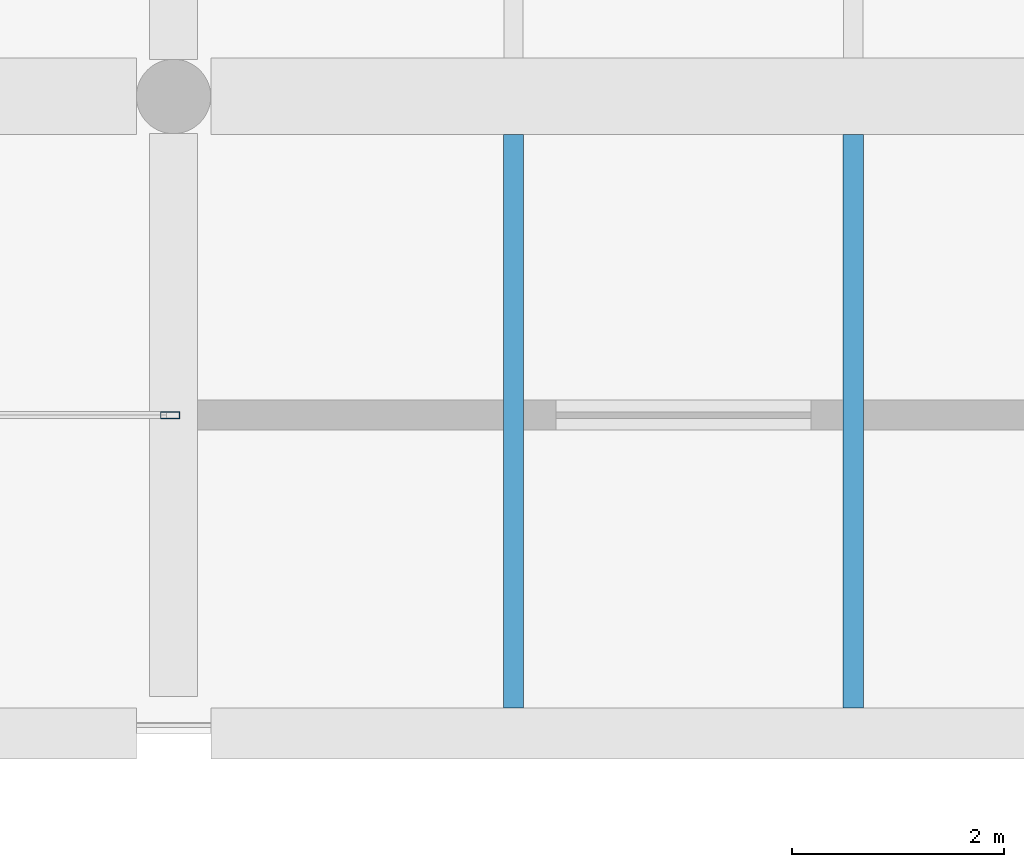
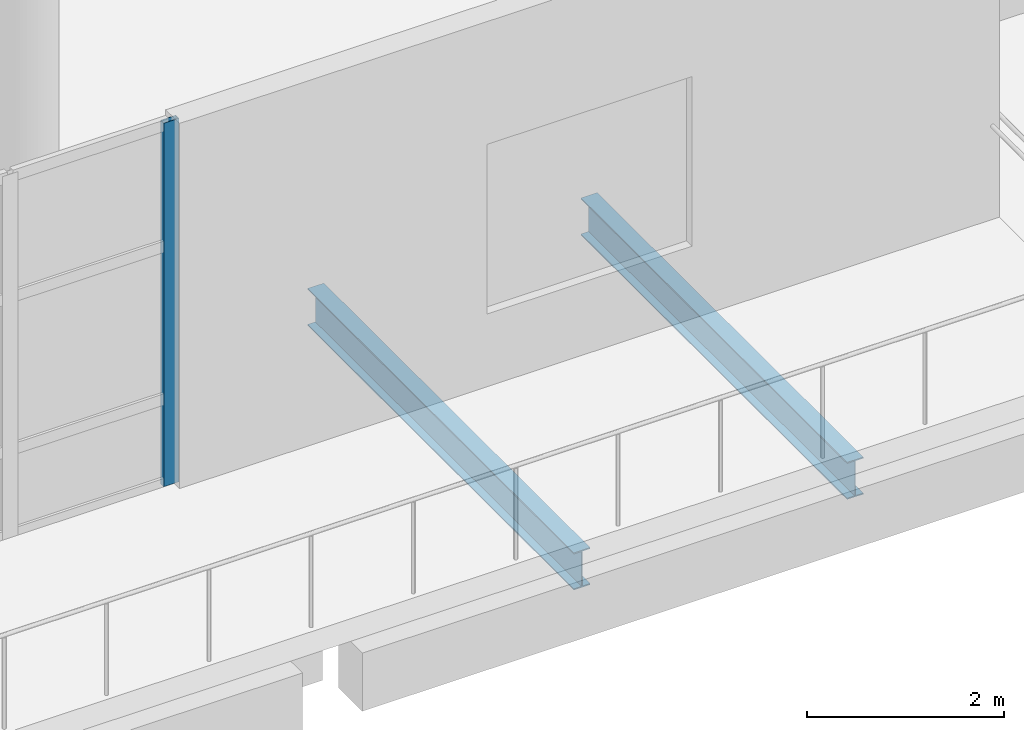
# One storey, part 33 of 79: 2 beams, 1 member, 1 element without a shape of its own.
"""IFC4 building model written with IfcOpenShell, lengths in metres."""

import ifcopenshell
import ifcopenshell.guid

model = None  # the IFC model being written
_history = None  # IfcOwnerHistory: only IFC2X3 demands one
_inside = {}  # id of a spatial element -> (the spatial element, [elements in it])
_under = {}  # id of a project, library or spatial element -> (it, [spatial elements below it])
_declared = {}  # id of a project -> (the project, [libraries it declares])
_typed = {}  # id of a type object -> (the type object, [elements of that type])
_made_of = {}  # id of a material, layer set ... -> (it, [elements and type objects made of it])


def new_model(schema):
    """Start an empty IFC model of exactly this schema.

    Asked for "IFC4X3", IfcOpenShell would pick the latest addendum, in which some entities
    have other attributes; the version numbers below select the first issue.
    IFC2X3 requires an IfcOwnerHistory on every rooted entity: one is made here for all.
    """
    global model, _history
    if schema == "IFC4X3":
        model = ifcopenshell.file(schema_version=(4, 3, 0, 0))
    else:
        model = ifcopenshell.file(schema=schema)
    _inside.clear()
    _under.clear()
    _declared.clear()
    _typed.clear()
    _made_of.clear()
    _history = None
    if model.schema == "IFC2X3":
        org = make("IfcOrganization", Name="unknown")
        user = make(
            "IfcPersonAndOrganization",
            ThePerson=make("IfcPerson", FamilyName="unknown"),
            TheOrganization=org,
        )
        app = make(
            "IfcApplication",
            ApplicationDeveloper=org,
            Version="unknown",
            ApplicationFullName="unknown",
            ApplicationIdentifier="unknown",
        )
        _history = make(
            "IfcOwnerHistory",
            OwningUser=user,
            OwningApplication=app,
            ChangeAction="ADDED",
            CreationDate=0,
        )
    return model


def make(cls, **values):
    """One entity of the class cls with the attributes given. An attribute that is None is left unset."""
    return model.create_entity(
        cls, **{name: value for name, value in values.items() if value is not None}
    )


def rooted(cls, **values):
    """An entity with a GlobalId (a new one), such as an element, a storey or a relation."""
    return make(cls, GlobalId=ifcopenshell.guid.new(), OwnerHistory=_history, **values)


def si_unit(unit_type, name, prefix=None):
    """IfcSIUnit, for example si_unit("LENGTHUNIT", "METRE", prefix="MILLI")."""
    return make("IfcSIUnit", UnitType=unit_type, Prefix=prefix, Name=name)


def assignment(units):
    """IfcUnitAssignment: the units of a project."""
    return None if units is None else make("IfcUnitAssignment", Units=units)


def point(xyz):
    """IfcCartesianPoint."""
    return None if xyz is None else make("IfcCartesianPoint", Coordinates=xyz)


def direction(xyz):
    """IfcDirection."""
    return None if xyz is None else make("IfcDirection", DirectionRatios=xyz)


def frame(location, z_axis=None, x_axis=None):
    """IfcAxis2Placement3D, a coordinate frame: its origin and axes. An axis left out is left unset."""
    return make(
        "IfcAxis2Placement3D",
        Location=point(location),
        Axis=direction(z_axis),
        RefDirection=direction(x_axis),
    )


def frame_2d(location, x_axis=None):
    """IfcAxis2Placement2D, a coordinate frame in the plane: its origin and x axis."""
    return make(
        "IfcAxis2Placement2D", Location=point(location), RefDirection=direction(x_axis)
    )


def origin():
    """The frame at (0, 0, 0) with its axes left unset."""
    return frame((0.0, 0.0, 0.0))


def origin_2d():
    """The frame at (0, 0) in the plane with its x axis left unset."""
    return frame_2d((0.0, 0.0))


def place(relative_to, where):
    """IfcLocalPlacement: puts the frame where relative to a parent placement (None: the world)."""
    return make(
        "IfcLocalPlacement", PlacementRelTo=relative_to, RelativePlacement=where
    )


def context(
    kind, dimensions, precision=None, world=None, true_north=None, identifier=None
):
    """IfcGeometricRepresentationContext, for example the 3D "Model" context."""
    return make(
        "IfcGeometricRepresentationContext",
        ContextIdentifier=identifier,
        ContextType=kind,
        CoordinateSpaceDimension=dimensions,
        Precision=precision,
        WorldCoordinateSystem=world,
        TrueNorth=true_north,
    )


def subcontext(parent, identifier, kind, view, scale=None):
    """IfcGeometricRepresentationSubContext, for example "Body" below "Model"."""
    return make(
        "IfcGeometricRepresentationSubContext",
        ContextIdentifier=identifier,
        ContextType=kind,
        ParentContext=parent,
        TargetScale=scale,
        TargetView=view,
    )


def project(units=None, contexts=None):
    """IfcProject with its units and contexts."""
    return rooted(
        "IfcProject",
        Name="project",
        RepresentationContexts=contexts,
        UnitsInContext=assignment(units),
    )


def spatial(cls, under=None, at=None, **own):
    """A site, building, storey or space (cls), placed at a placement, below another one or the project."""
    s = rooted(cls, ObjectPlacement=at, **own)
    if under is not None:
        _under.setdefault(under.id(), (under, []))[1].append(s)
    return s


def profile(cls, at=None, kind="AREA", **sizes):
    """A parametric profile (cls). Its sizes go by their IFC names, for example OverallWidth=200.0."""
    return make(cls, ProfileType=kind, Position=at, **sizes)


def hollow_rectangle(**sizes):
    """IfcRectangleHollowProfileDef."""
    return profile("IfcRectangleHollowProfileDef", **sizes)


def i_section(**sizes):
    """IfcIShapeProfileDef."""
    return profile("IfcIShapeProfileDef", **sizes)


def extrude(swept, where, along, depth):
    """IfcExtrudedAreaSolid: the profile swept, set in the frame where, extruded along a direction by depth."""
    return make(
        "IfcExtrudedAreaSolid",
        SweptArea=swept,
        Position=where,
        ExtrudedDirection=direction(along),
        Depth=depth,
    )


def shape(context_of_items, identifier, shape_type, items):
    """IfcShapeRepresentation: the items that make up one representation, for example the "Body"."""
    return make(
        "IfcShapeRepresentation",
        ContextOfItems=context_of_items,
        RepresentationIdentifier=identifier,
        RepresentationType=shape_type,
        Items=items,
    )


def material(Name=None, Category=None):
    """IfcMaterial."""
    return make("IfcMaterial", Name=Name, Category=Category)


def material_profile(
    of_material, cross_section, Name=None, Category=None, Priority=None
):
    """IfcMaterialProfile: a cross section and its material."""
    return make(
        "IfcMaterialProfile",
        Name=Name,
        Material=of_material,
        Profile=cross_section,
        Priority=Priority,
        Category=Category,
    )


def profile_set(profiles, Name=None, composite=None):
    """IfcMaterialProfileSet."""
    return make(
        "IfcMaterialProfileSet",
        Name=Name,
        MaterialProfiles=profiles,
        CompositeProfile=composite,
    )


def made_of(thing, what):
    """Note that an element or type object is made of a material, layer set ...; save() writes the relation."""
    if what is not None:
        _made_of.setdefault(what.id(), (what, []))[1].append(thing)
    return thing


def type_object(cls, material=None, **own):
    """A type object (cls), such as IfcWallType, which elements share."""
    return made_of(rooted(cls, **own), material)


def element(
    cls,
    number,
    at=None,
    inside=None,
    cuts=None,
    type_object=None,
    material=None,
    context=None,
    identifier="Body",
    shape_type=None,
    held_by="IfcProductDefinitionShape",
    body=None,
    shapes=None,
    **own,
):
    """One element of the class cls, such as IfcWall. Its Tag is "e" and its number.

    at: its placement. inside: the storey or other place that contains it. cuts: it is an
    opening in that element (IfcRelVoidsElement). A single representation is given by context,
    identifier, shape_type and body (its items); several are given by shapes. held_by: the class
    of the entity that holds the representations. save() writes the other relations.
    """
    e = rooted(cls, Tag="e%d" % number, ObjectPlacement=at, **own)
    if body is not None:
        shapes = [shape(context, identifier, shape_type, body)]
    if shapes is not None:
        e.Representation = make(held_by, Representations=shapes)
    if inside is not None:
        _inside.setdefault(inside.id(), (inside, []))[1].append(e)
    if cuts is not None:
        rooted(
            "IfcRelVoidsElement", RelatingBuildingElement=cuts, RelatedOpeningElement=e
        )
    if type_object is not None:
        _typed.setdefault(type_object.id(), (type_object, []))[1].append(e)
    return made_of(e, material)


def aggregate(whole, parts):
    """IfcRelAggregates: a whole, such as a stair, and the parts it consists of."""
    return rooted("IfcRelAggregates", RelatingObject=whole, RelatedObjects=parts)


def save(model, path):
    """Write the relations noted so far, then the file.

    IfcRelAggregates (storeys below a building ...), IfcRelContainedInSpatialStructure (elements
    in a storey), IfcRelDefinesByType, IfcRelAssociatesMaterial and IfcRelDeclares: one each for
    every whole, place, type object, material and project.
    """
    for whole, parts in _under.values():
        aggregate(whole, parts)
    for where, things in _inside.values():
        rooted(
            "IfcRelContainedInSpatialStructure",
            RelatedElements=things,
            RelatingStructure=where,
        )
    for kind, things in _typed.values():
        rooted("IfcRelDefinesByType", RelatedObjects=things, RelatingType=kind)
    for what, things in _made_of.values():
        rooted("IfcRelAssociatesMaterial", RelatedObjects=things, RelatingMaterial=what)
    for by, libraries in _declared.values():
        rooted("IfcRelDeclares", RelatingContext=by, RelatedDefinitions=libraries)
    model.write(path)


model = new_model("IFC4")

# Units and contexts
model_context = context("Model", 3, precision=1e-05, world=origin(), true_north=direction((0.0, 1.0)))
body_context = subcontext(model_context, "Body", "Model", "MODEL_VIEW")
ifc_project = project(units=[si_unit("LENGTHUNIT", "METRE"), si_unit("AREAUNIT", "SQUARE_METRE"), si_unit("VOLUMEUNIT", "CUBIC_METRE"), si_unit("PLANEANGLEUNIT", "RADIAN"), si_unit("MASSUNIT", "GRAM", prefix="KILO")], contexts=[model_context])

# Site, building, storey
site_placement = place(None, origin())
site = spatial("IfcSite", under=ifc_project, at=site_placement, CompositionType="ELEMENT")
building_placement = place(site_placement, origin())
building = spatial("IfcBuilding", under=site, at=building_placement, Name="Pellamere Symphony Hall", CompositionType="ELEMENT")
storey_placement = place(building_placement, frame((0.0, 0.0, 10.199951171875)))
storey = spatial("IfcBuildingStorey", under=building, at=storey_placement, Name="L02", CompositionType="ELEMENT", Elevation=10.199951171875)

# Curtain wall, member
ifc_material_1 = material(Name="Thermally Broken Anodised Aluminium 6063-T6 Curtain Wall", Category="aluminium")
curtain_wall_type = type_object("IfcCurtainWallType", Name="Curtain Wall CW-02 (Winter-Garden South Concourse Curtain Wall)", PredefinedType="NOTDEFINED", material=ifc_material_1)
curtain_wall_placement = place(storey_placement, origin())
curtain_wall = element("IfcCurtainWall", 1, at=curtain_wall_placement, inside=storey, type_object=curtain_wall_type, Name="Winter-Garden South Curtain Wall (L02 Bay 11)", PredefinedType="NOTDEFINED")
ifc_material_2 = material(Name="Anodised Architectural Aluminium 6063-T6", Category="aluminium")
ifc_material_profile_1 = material_profile(ifc_material_2, hollow_rectangle(XDim=0.06494140625, YDim=0.179931640625, WallThickness=0.00390625, at=origin_2d()), Name="ALU-M65X180X4")
ifc_profile_set_1 = profile_set([ifc_material_profile_1], Name="Anodised Architectural Aluminium 6063-T6")
member_type = type_object("IfcMemberType", Name="Curtain Wall Mullion ML-02 ALU-M65X180X4", PredefinedType="MULLION", material=ifc_profile_set_1)
member_placement = place(storey_placement, frame((128.367431640625, 21.0, 0.0), z_axis=(0.0, 0.0, 1.0), x_axis=(0.0, 1.0, 0.0)))
member = element("IfcMember", 2, at=member_placement, type_object=member_type, Name="CW2-085 crystal mullion 6", PredefinedType="MULLION", context=body_context, shape_type="SweptSolid", body=[
    extrude(hollow_rectangle(XDim=0.06494140625, YDim=0.179931640625, WallThickness=0.00390625, at=origin_2d()), origin(), (0.0, 0.0, 1.0), 4.5),
])
aggregate(curtain_wall, [member])

# Beams
ifc_material_3 = material(Name="Steel CSA G40.21 350W", Category="steel")
ifc_material_profile_2 = material_profile(ifc_material_3, i_section(OverallWidth=0.19091796875, OverallDepth=0.4599609375, WebThickness=0.010009765625, FlangeThickness=0.014404296875, at=origin_2d()), Name="W460X82")
ifc_profile_set_2 = profile_set([ifc_material_profile_2], Name="Steel CSA G40.21 350W")
beam_type = type_object("IfcBeamType", Name="Steel Joist SB-17 W460X82", PredefinedType="JOIST", material=ifc_profile_set_2)
for number, where, z_axis, x_axis, name in (
    (3, (131.60009765625, 18.239990234375, -0.52490234375), (0.0, 1.0, 0.0), (-1.0, 0.0, 0.0), "Secondary Floor Beam SB-17-A1602 (L02)"),
    (4, (134.800048828125, 18.239990234375, -0.52490234375), (0.0, 1.0, 0.0), (-1.0, 0.0, 0.0), "Secondary Floor Beam SB-17-B1602 (L02)"),
):
    element("IfcBeam", number, at=place(storey_placement, frame(where, z_axis=z_axis, x_axis=x_axis)), inside=storey, type_object=beam_type, Name=name, PredefinedType="JOIST", context=body_context, shape_type="SweptSolid", body=[
        extrude(i_section(OverallWidth=0.19091796875, OverallDepth=0.4599609375, WebThickness=0.010009765625, FlangeThickness=0.014404296875, at=origin_2d()), origin(), (0.0, 0.0, 1.0), 5.39990234375),
    ])

save(model, "model.ifc")
